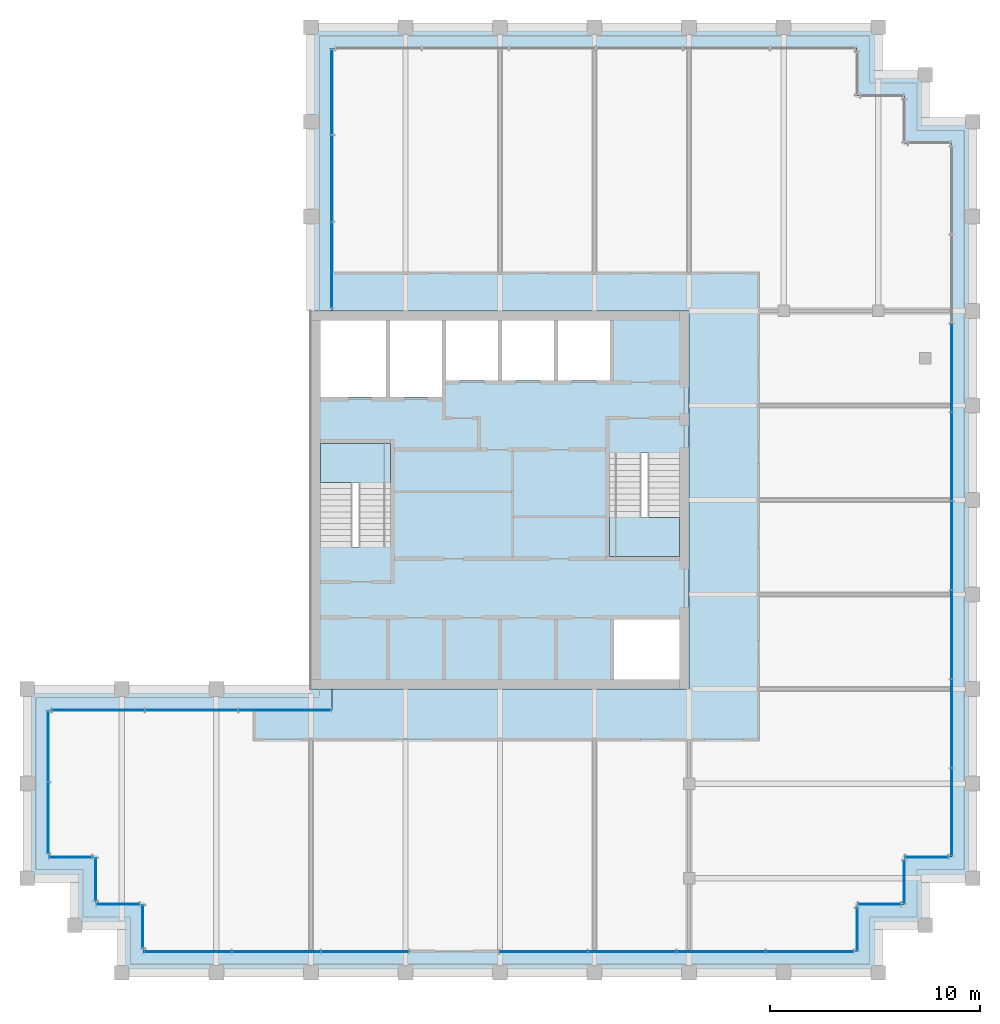
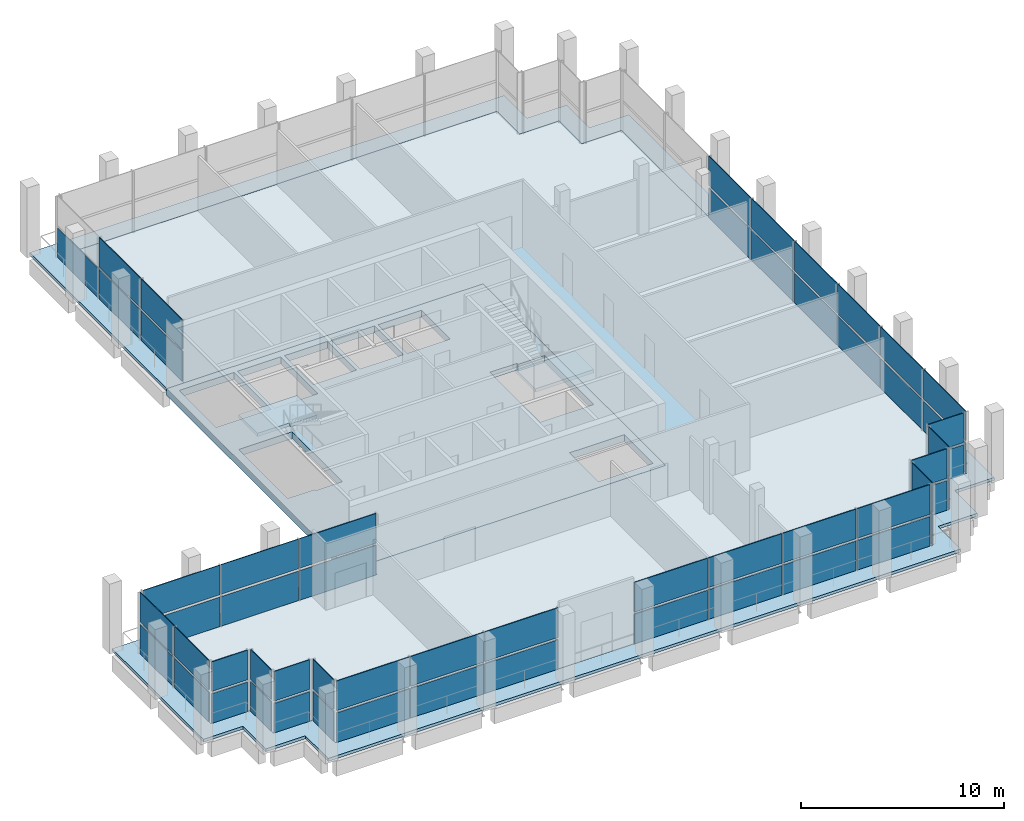
# One storey, part 13 of 17: 57 plates, 5 slabs, 16 elements without a shape of their own.
"""IFC4 building model written with IfcOpenShell, lengths in metres."""

from ifc_helpers import new_model, si_unit, direction, frame, origin, origin_2d, place, context, subcontext, project, spatial, polyline, rectangle, outline, extrude, material, layer, layer_set, type_object, element, aggregate, save


model = new_model("IFC4")

# Units and contexts
model_context = context("Model", 3, precision=1e-05, world=origin(), true_north=direction((0.0, 1.0)))
body_context = subcontext(model_context, "Body", "Model", "MODEL_VIEW")
ifc_project = project(units=[si_unit("LENGTHUNIT", "METRE"), si_unit("AREAUNIT", "SQUARE_METRE"), si_unit("VOLUMEUNIT", "CUBIC_METRE"), si_unit("PLANEANGLEUNIT", "RADIAN"), si_unit("MASSUNIT", "GRAM", prefix="KILO")], contexts=[model_context])

# Site, building, storey
site_placement = place(None, origin())
site = spatial("IfcSite", under=ifc_project, at=site_placement, CompositionType="ELEMENT")
building_placement = place(site_placement, origin())
building = spatial("IfcBuilding", under=site, at=building_placement, Name="Altepetl Exchange Towers", CompositionType="ELEMENT")
storey_placement = place(building_placement, frame((0.0, 0.0, 255.199951171875)))
storey = spatial("IfcBuildingStorey", under=building, at=storey_placement, Name="L65", CompositionType="ELEMENT", Elevation=255.199951171875)

# Slabs
ifc_material_1 = material(Name="Concrete C40/50", Category="concrete")
ifc_layer_1 = layer(ifc_material_1, 0.175048828125)
ifc_layer_set_1 = layer_set([ifc_layer_1], Name="Concrete C40/50")
slab_type_1 = type_object("IfcSlabType", Name="Composite floor slab 175", PredefinedType="FLOOR", material=ifc_layer_set_1)
slab_1_placement = place(storey_placement, frame((0.0, 0.0, -0.175048828125)))
element("IfcSlab", 1, at=slab_1_placement, inside=storey, type_object=slab_type_1, Name="slab:A:L65:strip0", PredefinedType="FLOOR", context=body_context, shape_type="SweptSolid", body=[
    extrude(outline(polyline([(41.5, 71.0), (41.5, 58.5), (58.5, 58.5), (58.5, 40.5), (41.5, 40.5), (41.5, 39.5), (28.0, 39.5), (28.0, 32.5), (30.25, 32.5), (30.25, 30.25), (32.5, 30.25), (32.5, 28.0), (66.5, 28.0), (66.5, 30.25), (68.75, 30.25), (68.75, 32.5), (71.0, 32.5), (71.0, 66.5), (68.75, 66.5), (68.75, 68.75), (66.5, 68.75), (66.5, 71.0), (41.5, 71.0)])), origin(), (0.0, 0.0, 1.0), 0.175048828125),
])
ifc_layer_2 = layer(ifc_material_1, 0.419921875)
ifc_layer_set_2 = layer_set([ifc_layer_2], Name="Concrete C40/50")
slab_type_2 = type_object("IfcSlabType", Name="Core floor slab 420", PredefinedType="FLOOR", material=ifc_layer_set_2)
slab_2_placement = place(storey_placement, frame((0.0, 0.0, -0.419921875)))
element("IfcSlab", 2, at=slab_2_placement, inside=storey, type_object=slab_type_2, Name="slab:A:L65:core0", PredefinedType="FLOOR", context=body_context, shape_type="SweptSolid", body=[
    extrude(outline(polyline([(40.5, 40.5), (58.5, 40.5), (58.5, 58.5), (40.5, 58.5), (40.5, 40.5)]), holes=[polyline([(54.93310546875, 43.800048828125), (58.050048828125, 43.800048828125), (58.050048828125, 40.949951171875), (54.93310546875, 40.949951171875), (54.93310546875, 43.800048828125)]), polyline([(55.0, 51.7490234375), (56.530029296875, 51.7490234375), (56.530029296875, 51.64990234375), (58.050048828125, 51.64990234375), (58.050048828125, 46.800048828125), (55.0, 46.800048828125), (55.0, 51.7490234375)]), polyline([(44.0, 47.2509765625), (42.469970703125, 47.2509765625), (42.469970703125, 47.35009765625), (40.949951171875, 47.35009765625), (40.949951171875, 52.199951171875), (44.0, 52.199951171875), (44.0, 47.2509765625)]), polyline([(40.949951171875, 58.050048828125), (44.06689453125, 58.050048828125), (44.06689453125, 54.39990234375), (40.949951171875, 54.39990234375), (40.949951171875, 58.050048828125)]), polyline([(44.26708984375, 58.050048828125), (46.73291015625, 58.050048828125), (46.73291015625, 54.39990234375), (44.26708984375, 54.39990234375), (44.26708984375, 58.050048828125)]), polyline([(46.93310546875, 58.050048828125), (49.39990234375, 58.050048828125), (49.39990234375, 55.199951171875), (46.93310546875, 55.199951171875), (46.93310546875, 58.050048828125)]), polyline([(49.60009765625, 58.050048828125), (52.06689453125, 58.050048828125), (52.06689453125, 55.199951171875), (49.60009765625, 55.199951171875), (49.60009765625, 58.050048828125)]), polyline([(52.26708984375, 58.050048828125), (54.73291015625, 58.050048828125), (54.73291015625, 55.199951171875), (52.26708984375, 55.199951171875), (52.26708984375, 58.050048828125)])]), origin(), (0.0, 0.0, 1.0), 0.419921875),
])

# Curtain wall, plates
ifc_material_2 = material(Name="Aluminium 6063-T6 glazing", Category="aluminium")
curtain_wall_type = type_object("IfcCurtainWallType", Name="Executive flush glazing system", PredefinedType="NOTDEFINED", material=ifc_material_2)
curtain_wall_1_placement = place(storey_placement, origin())
curtain_wall_1 = element("IfcCurtainWall", 3, at=curtain_wall_1_placement, inside=storey, type_object=curtain_wall_type, Name="CW4 run", PredefinedType="NOTDEFINED")
ifc_material_3 = material(Name="Glass 10-24-10 laminated", Category="glass")
ifc_layer_3 = layer(ifc_material_3, 0.0439453125)
ifc_layer_set_3 = layer_set([ifc_layer_3], Name="Glass 10-24-10 laminated")
plate_type = type_object("IfcPlateType", Name="Glass panel 44 laminated", PredefinedType="CURTAIN_PANEL", material=ifc_layer_set_3)
plate_1_placement = place(storey_placement, frame((39.255859375, 39.5, 0.0), z_axis=(0.0, 0.0, 1.0), x_axis=(-1.0, 0.0, 0.0)))
plate_1 = element("IfcPlate", 4, at=plate_1_placement, type_object=plate_type, Name="GP3 panel", PredefinedType="CURTAIN_PANEL", context=body_context, shape_type="SweptSolid", body=[
    extrude(rectangle(XDim=4.368408203125, YDim=0.0439453125, at=origin_2d()), origin(), (0.0, 0.0, 1.0), 1.780029296875),
])
plate_2_placement = place(storey_placement, frame((39.255859375, 39.5, 1.919921875), z_axis=(0.0, 0.0, 1.0), x_axis=(-1.0, 0.0, 0.0)))
plate_2 = element("IfcPlate", 5, at=plate_2_placement, type_object=plate_type, Name="GP3 panel", PredefinedType="CURTAIN_PANEL", context=body_context, shape_type="SweptSolid", body=[
    extrude(rectangle(XDim=4.368408203125, YDim=0.0439453125, at=origin_2d()), origin(), (0.0, 0.0, 1.0), 1.780029296875),
])
plate_3_placement = place(storey_placement, frame((34.8125, 39.5, 0.0), z_axis=(0.0, 0.0, 1.0), x_axis=(-1.0, 0.0, 0.0)))
plate_3 = element("IfcPlate", 6, at=plate_3_placement, type_object=plate_type, Name="GP3 panel", PredefinedType="CURTAIN_PANEL", context=body_context, shape_type="SweptSolid", body=[
    extrude(rectangle(XDim=4.3984375, YDim=0.0439453125, at=origin_2d()), origin(), (0.0, 0.0, 1.0), 1.780029296875),
])
plate_4_placement = place(storey_placement, frame((34.8125, 39.5, 1.919921875), z_axis=(0.0, 0.0, 1.0), x_axis=(-1.0, 0.0, 0.0)))
plate_4 = element("IfcPlate", 7, at=plate_4_placement, type_object=plate_type, Name="GP3 panel", PredefinedType="CURTAIN_PANEL", context=body_context, shape_type="SweptSolid", body=[
    extrude(rectangle(XDim=4.3984375, YDim=0.0439453125, at=origin_2d()), origin(), (0.0, 0.0, 1.0), 1.780029296875),
])
plate_5_placement = place(storey_placement, frame((30.369140625, 39.5, 0.0), z_axis=(0.0, 0.0, 1.0), x_axis=(-1.0, 0.0, 0.0)))
plate_5 = element("IfcPlate", 8, at=plate_5_placement, type_object=plate_type, Name="GP3 panel", PredefinedType="CURTAIN_PANEL", context=body_context, shape_type="SweptSolid", body=[
    extrude(rectangle(XDim=4.368408203125, YDim=0.0439453125, at=origin_2d()), origin(), (0.0, 0.0, 1.0), 1.780029296875),
])
plate_6_placement = place(storey_placement, frame((30.369140625, 39.5, 1.919921875), z_axis=(0.0, 0.0, 1.0), x_axis=(-1.0, 0.0, 0.0)))
plate_6 = element("IfcPlate", 9, at=plate_6_placement, type_object=plate_type, Name="GP3 panel", PredefinedType="CURTAIN_PANEL", context=body_context, shape_type="SweptSolid", body=[
    extrude(rectangle(XDim=4.368408203125, YDim=0.0439453125, at=origin_2d()), origin(), (0.0, 0.0, 1.0), 1.780029296875),
])
aggregate(curtain_wall_1, [plate_1, plate_2, plate_3, plate_4, plate_5, plate_6])

curtain_wall_2_placement = place(storey_placement, origin())
curtain_wall_2 = element("IfcCurtainWall", 10, at=curtain_wall_2_placement, inside=storey, type_object=curtain_wall_type, Name="CW4 run", PredefinedType="NOTDEFINED")
plate_7_placement = place(storey_placement, frame((28.0, 37.766357421875, 0.0), z_axis=(0.0, 0.0, 1.0), x_axis=(0.0, -1.0, 0.0)))
plate_7 = element("IfcPlate", 11, at=plate_7_placement, type_object=plate_type, Name="GP3 panel", PredefinedType="CURTAIN_PANEL", context=body_context, shape_type="SweptSolid", body=[
    extrude(rectangle(XDim=3.347412109375, YDim=0.0439453125, at=origin_2d()), origin(), (0.0, 0.0, 1.0), 1.780029296875),
])
plate_8_placement = place(storey_placement, frame((28.0, 37.766357421875, 1.919921875), z_axis=(0.0, 0.0, 1.0), x_axis=(0.0, -1.0, 0.0)))
plate_8 = element("IfcPlate", 12, at=plate_8_placement, type_object=plate_type, Name="GP3 panel", PredefinedType="CURTAIN_PANEL", context=body_context, shape_type="SweptSolid", body=[
    extrude(rectangle(XDim=3.347412109375, YDim=0.0439453125, at=origin_2d()), origin(), (0.0, 0.0, 1.0), 1.780029296875),
])
plate_9_placement = place(storey_placement, frame((28.0, 34.358642578125, 0.0), z_axis=(0.0, 0.0, 1.0), x_axis=(0.0, -1.0, 0.0)))
plate_9 = element("IfcPlate", 13, at=plate_9_placement, type_object=plate_type, Name="GP3 panel", PredefinedType="CURTAIN_PANEL", context=body_context, shape_type="SweptSolid", body=[
    extrude(rectangle(XDim=3.347412109375, YDim=0.0439453125, at=origin_2d()), origin(), (0.0, 0.0, 1.0), 1.780029296875),
])
plate_10_placement = place(storey_placement, frame((28.0, 34.358642578125, 1.919921875), z_axis=(0.0, 0.0, 1.0), x_axis=(0.0, -1.0, 0.0)))
plate_10 = element("IfcPlate", 14, at=plate_10_placement, type_object=plate_type, Name="GP3 panel", PredefinedType="CURTAIN_PANEL", context=body_context, shape_type="SweptSolid", body=[
    extrude(rectangle(XDim=3.347412109375, YDim=0.0439453125, at=origin_2d()), origin(), (0.0, 0.0, 1.0), 1.780029296875),
])
aggregate(curtain_wall_2, [plate_7, plate_8, plate_9, plate_10])

curtain_wall_3_placement = place(storey_placement, origin())
curtain_wall_3 = element("IfcCurtainWall", 15, at=curtain_wall_3_placement, inside=storey, type_object=curtain_wall_type, Name="CW4 run", PredefinedType="NOTDEFINED")
plate_11_placement = place(storey_placement, frame((29.0625, 32.5, 0.0)))
plate_11 = element("IfcPlate", 16, at=plate_11_placement, type_object=plate_type, Name="GP3 panel", PredefinedType="CURTAIN_PANEL", context=body_context, shape_type="SweptSolid", body=[
    extrude(rectangle(XDim=2.0048828125, YDim=0.0439453125, at=origin_2d()), origin(), (0.0, 0.0, 1.0), 1.780029296875),
])
plate_12_placement = place(storey_placement, frame((29.0625, 32.5, 1.919921875)))
plate_12 = element("IfcPlate", 17, at=plate_12_placement, type_object=plate_type, Name="GP3 panel", PredefinedType="CURTAIN_PANEL", context=body_context, shape_type="SweptSolid", body=[
    extrude(rectangle(XDim=2.0048828125, YDim=0.0439453125, at=origin_2d()), origin(), (0.0, 0.0, 1.0), 1.780029296875),
])
aggregate(curtain_wall_3, [plate_11, plate_12])

curtain_wall_4_placement = place(storey_placement, origin())
curtain_wall_4 = element("IfcCurtainWall", 18, at=curtain_wall_4_placement, inside=storey, type_object=curtain_wall_type, Name="CW4 run", PredefinedType="NOTDEFINED")
plate_13_placement = place(storey_placement, frame((30.25, 31.4375, 0.0), z_axis=(0.0, 0.0, 1.0), x_axis=(0.0, -1.0, 0.0)))
plate_13 = element("IfcPlate", 19, at=plate_13_placement, type_object=plate_type, Name="GP3 panel", PredefinedType="CURTAIN_PANEL", context=body_context, shape_type="SweptSolid", body=[
    extrude(rectangle(XDim=2.0048828125, YDim=0.0439453125, at=origin_2d()), origin(), (0.0, 0.0, 1.0), 1.780029296875),
])
plate_14_placement = place(storey_placement, frame((30.25, 31.4375, 1.919921875), z_axis=(0.0, 0.0, 1.0), x_axis=(0.0, -1.0, 0.0)))
plate_14 = element("IfcPlate", 20, at=plate_14_placement, type_object=plate_type, Name="GP3 panel", PredefinedType="CURTAIN_PANEL", context=body_context, shape_type="SweptSolid", body=[
    extrude(rectangle(XDim=2.0048828125, YDim=0.0439453125, at=origin_2d()), origin(), (0.0, 0.0, 1.0), 1.780029296875),
])
aggregate(curtain_wall_4, [plate_13, plate_14])

curtain_wall_5_placement = place(storey_placement, origin())
curtain_wall_5 = element("IfcCurtainWall", 21, at=curtain_wall_5_placement, inside=storey, type_object=curtain_wall_type, Name="CW4 run", PredefinedType="NOTDEFINED")
plate_15_placement = place(storey_placement, frame((31.3125, 30.25, 0.0)))
plate_15 = element("IfcPlate", 22, at=plate_15_placement, type_object=plate_type, Name="GP3 panel", PredefinedType="CURTAIN_PANEL", context=body_context, shape_type="SweptSolid", body=[
    extrude(rectangle(XDim=2.0048828125, YDim=0.0439453125, at=origin_2d()), origin(), (0.0, 0.0, 1.0), 1.780029296875),
])
plate_16_placement = place(storey_placement, frame((31.3125, 30.25, 1.919921875)))
plate_16 = element("IfcPlate", 23, at=plate_16_placement, type_object=plate_type, Name="GP3 panel", PredefinedType="CURTAIN_PANEL", context=body_context, shape_type="SweptSolid", body=[
    extrude(rectangle(XDim=2.0048828125, YDim=0.0439453125, at=origin_2d()), origin(), (0.0, 0.0, 1.0), 1.780029296875),
])
aggregate(curtain_wall_5, [plate_15, plate_16])

curtain_wall_6_placement = place(storey_placement, origin())
curtain_wall_6 = element("IfcCurtainWall", 24, at=curtain_wall_6_placement, inside=storey, type_object=curtain_wall_type, Name="CW4 run", PredefinedType="NOTDEFINED")
plate_17_placement = place(storey_placement, frame((32.5, 29.1875, 0.0), z_axis=(0.0, 0.0, 1.0), x_axis=(0.0, -1.0, 0.0)))
plate_17 = element("IfcPlate", 25, at=plate_17_placement, type_object=plate_type, Name="GP3 panel", PredefinedType="CURTAIN_PANEL", context=body_context, shape_type="SweptSolid", body=[
    extrude(rectangle(XDim=2.0048828125, YDim=0.0439453125, at=origin_2d()), origin(), (0.0, 0.0, 1.0), 1.780029296875),
])
plate_18_placement = place(storey_placement, frame((32.5, 29.1875, 1.919921875), z_axis=(0.0, 0.0, 1.0), x_axis=(0.0, -1.0, 0.0)))
plate_18 = element("IfcPlate", 26, at=plate_18_placement, type_object=plate_type, Name="GP3 panel", PredefinedType="CURTAIN_PANEL", context=body_context, shape_type="SweptSolid", body=[
    extrude(rectangle(XDim=2.0048828125, YDim=0.0439453125, at=origin_2d()), origin(), (0.0, 0.0, 1.0), 1.780029296875),
])
aggregate(curtain_wall_6, [plate_17, plate_18])

curtain_wall_7_placement = place(storey_placement, origin())
curtain_wall_7 = element("IfcCurtainWall", 27, at=curtain_wall_7_placement, inside=storey, type_object=curtain_wall_type, Name="CW4 run", PredefinedType="NOTDEFINED")
plate_19_placement = place(storey_placement, frame((34.632080078125, 28.0, 0.0)))
plate_19 = element("IfcPlate", 28, at=plate_19_placement, type_object=plate_type, Name="GP3 panel", PredefinedType="CURTAIN_PANEL", context=body_context, shape_type="SweptSolid", body=[
    extrude(rectangle(XDim=4.144287109375, YDim=0.0439453125, at=origin_2d()), origin(), (0.0, 0.0, 1.0), 1.780029296875),
])
plate_20_placement = place(storey_placement, frame((34.632080078125, 28.0, 1.919921875)))
plate_20 = element("IfcPlate", 29, at=plate_20_placement, type_object=plate_type, Name="GP3 panel", PredefinedType="CURTAIN_PANEL", context=body_context, shape_type="SweptSolid", body=[
    extrude(rectangle(XDim=4.144287109375, YDim=0.0439453125, at=origin_2d()), origin(), (0.0, 0.0, 1.0), 1.780029296875),
])
plate_21_placement = place(storey_placement, frame((38.8515625, 28.0, 0.0)))
plate_21 = element("IfcPlate", 30, at=plate_21_placement, type_object=plate_type, Name="GP3 panel", PredefinedType="CURTAIN_PANEL", context=body_context, shape_type="SweptSolid", body=[
    extrude(rectangle(XDim=4.17431640625, YDim=0.0439453125, at=origin_2d()), origin(), (0.0, 0.0, 1.0), 1.780029296875),
])
plate_22_placement = place(storey_placement, frame((38.8515625, 28.0, 1.919921875)))
plate_22 = element("IfcPlate", 31, at=plate_22_placement, type_object=plate_type, Name="GP3 panel", PredefinedType="CURTAIN_PANEL", context=body_context, shape_type="SweptSolid", body=[
    extrude(rectangle(XDim=4.17431640625, YDim=0.0439453125, at=origin_2d()), origin(), (0.0, 0.0, 1.0), 1.780029296875),
])
plate_23_placement = place(storey_placement, frame((43.071044921875, 28.0, 0.0)))
plate_23 = element("IfcPlate", 32, at=plate_23_placement, type_object=plate_type, Name="GP3 panel", PredefinedType="CURTAIN_PANEL", context=body_context, shape_type="SweptSolid", body=[
    extrude(rectangle(XDim=4.144287109375, YDim=0.0439453125, at=origin_2d()), origin(), (0.0, 0.0, 1.0), 1.780029296875),
])
plate_24_placement = place(storey_placement, frame((43.071044921875, 28.0, 1.919921875)))
plate_24 = element("IfcPlate", 33, at=plate_24_placement, type_object=plate_type, Name="GP3 panel", PredefinedType="CURTAIN_PANEL", context=body_context, shape_type="SweptSolid", body=[
    extrude(rectangle(XDim=4.144287109375, YDim=0.0439453125, at=origin_2d()), origin(), (0.0, 0.0, 1.0), 1.780029296875),
])
aggregate(curtain_wall_7, [plate_19, plate_20, plate_21, plate_22, plate_23, plate_24])

curtain_wall_8_placement = place(storey_placement, origin())
curtain_wall_8 = element("IfcCurtainWall", 34, at=curtain_wall_8_placement, inside=storey, type_object=curtain_wall_type, Name="CW4 run", PredefinedType="NOTDEFINED")
plate_25_placement = place(storey_placement, frame((51.569580078125, 28.0, 0.0)))
plate_25 = element("IfcPlate", 35, at=plate_25_placement, type_object=plate_type, Name="GP3 panel", PredefinedType="CURTAIN_PANEL", context=body_context, shape_type="SweptSolid", body=[
    extrude(rectangle(XDim=4.144287109375, YDim=0.0439453125, at=origin_2d()), origin(), (0.0, 0.0, 1.0), 1.780029296875),
])
plate_26_placement = place(storey_placement, frame((51.569580078125, 28.0, 1.919921875)))
plate_26 = element("IfcPlate", 36, at=plate_26_placement, type_object=plate_type, Name="GP3 panel", PredefinedType="CURTAIN_PANEL", context=body_context, shape_type="SweptSolid", body=[
    extrude(rectangle(XDim=4.144287109375, YDim=0.0439453125, at=origin_2d()), origin(), (0.0, 0.0, 1.0), 1.780029296875),
])
plate_27_placement = place(storey_placement, frame((55.7890625, 28.0, 0.0)))
plate_27 = element("IfcPlate", 37, at=plate_27_placement, type_object=plate_type, Name="GP3 panel", PredefinedType="CURTAIN_PANEL", context=body_context, shape_type="SweptSolid", body=[
    extrude(rectangle(XDim=4.17431640625, YDim=0.0439453125, at=origin_2d()), origin(), (0.0, 0.0, 1.0), 1.780029296875),
])
plate_28_placement = place(storey_placement, frame((55.7890625, 28.0, 1.919921875)))
plate_28 = element("IfcPlate", 38, at=plate_28_placement, type_object=plate_type, Name="GP3 panel", PredefinedType="CURTAIN_PANEL", context=body_context, shape_type="SweptSolid", body=[
    extrude(rectangle(XDim=4.17431640625, YDim=0.0439453125, at=origin_2d()), origin(), (0.0, 0.0, 1.0), 1.780029296875),
])
plate_29_placement = place(storey_placement, frame((60.0234375, 28.0, 0.0)))
plate_29 = element("IfcPlate", 39, at=plate_29_placement, type_object=plate_type, Name="GP3 panel", PredefinedType="CURTAIN_PANEL", context=body_context, shape_type="SweptSolid", body=[
    extrude(rectangle(XDim=4.17431640625, YDim=0.0439453125, at=origin_2d()), origin(), (0.0, 0.0, 1.0), 1.780029296875),
])
plate_30_placement = place(storey_placement, frame((60.0234375, 28.0, 1.919921875)))
plate_30 = element("IfcPlate", 40, at=plate_30_placement, type_object=plate_type, Name="GP3 panel", PredefinedType="CURTAIN_PANEL", context=body_context, shape_type="SweptSolid", body=[
    extrude(rectangle(XDim=4.17431640625, YDim=0.0439453125, at=origin_2d()), origin(), (0.0, 0.0, 1.0), 1.780029296875),
])
plate_31_placement = place(storey_placement, frame((64.242919921875, 28.0, 0.0)))
plate_31 = element("IfcPlate", 41, at=plate_31_placement, type_object=plate_type, Name="GP3 panel", PredefinedType="CURTAIN_PANEL", context=body_context, shape_type="SweptSolid", body=[
    extrude(rectangle(XDim=4.144287109375, YDim=0.0439453125, at=origin_2d()), origin(), (0.0, 0.0, 1.0), 1.780029296875),
])
plate_32_placement = place(storey_placement, frame((64.242919921875, 28.0, 1.919921875)))
plate_32 = element("IfcPlate", 42, at=plate_32_placement, type_object=plate_type, Name="GP3 panel", PredefinedType="CURTAIN_PANEL", context=body_context, shape_type="SweptSolid", body=[
    extrude(rectangle(XDim=4.144287109375, YDim=0.0439453125, at=origin_2d()), origin(), (0.0, 0.0, 1.0), 1.780029296875),
])
aggregate(curtain_wall_8, [plate_25, plate_26, plate_27, plate_28, plate_29, plate_30, plate_31, plate_32])

curtain_wall_9_placement = place(storey_placement, origin())
curtain_wall_9 = element("IfcCurtainWall", 43, at=curtain_wall_9_placement, inside=storey, type_object=curtain_wall_type, Name="CW4 run", PredefinedType="NOTDEFINED")
plate_33_placement = place(storey_placement, frame((66.5, 29.0625, 0.0), z_axis=(0.0, 0.0, 1.0), x_axis=(0.0, 1.0, 0.0)))
plate_33 = element("IfcPlate", 44, at=plate_33_placement, type_object=plate_type, Name="GP3 panel", PredefinedType="CURTAIN_PANEL", context=body_context, shape_type="SweptSolid", body=[
    extrude(rectangle(XDim=2.0048828125, YDim=0.0439453125, at=origin_2d()), origin(), (0.0, 0.0, 1.0), 1.780029296875),
])
plate_34_placement = place(storey_placement, frame((66.5, 29.0625, 1.919921875), z_axis=(0.0, 0.0, 1.0), x_axis=(0.0, 1.0, 0.0)))
plate_34 = element("IfcPlate", 45, at=plate_34_placement, type_object=plate_type, Name="GP3 panel", PredefinedType="CURTAIN_PANEL", context=body_context, shape_type="SweptSolid", body=[
    extrude(rectangle(XDim=2.0048828125, YDim=0.0439453125, at=origin_2d()), origin(), (0.0, 0.0, 1.0), 1.780029296875),
])
aggregate(curtain_wall_9, [plate_33, plate_34])

curtain_wall_10_placement = place(storey_placement, origin())
curtain_wall_10 = element("IfcCurtainWall", 46, at=curtain_wall_10_placement, inside=storey, type_object=curtain_wall_type, Name="CW4 run", PredefinedType="NOTDEFINED")
plate_35_placement = place(storey_placement, frame((67.5625, 30.25, 0.0)))
plate_35 = element("IfcPlate", 47, at=plate_35_placement, type_object=plate_type, Name="GP3 panel", PredefinedType="CURTAIN_PANEL", context=body_context, shape_type="SweptSolid", body=[
    extrude(rectangle(XDim=2.0048828125, YDim=0.0439453125, at=origin_2d()), origin(), (0.0, 0.0, 1.0), 1.780029296875),
])
plate_36_placement = place(storey_placement, frame((67.5625, 30.25, 1.919921875)))
plate_36 = element("IfcPlate", 48, at=plate_36_placement, type_object=plate_type, Name="GP3 panel", PredefinedType="CURTAIN_PANEL", context=body_context, shape_type="SweptSolid", body=[
    extrude(rectangle(XDim=2.0048828125, YDim=0.0439453125, at=origin_2d()), origin(), (0.0, 0.0, 1.0), 1.780029296875),
])
aggregate(curtain_wall_10, [plate_35, plate_36])

curtain_wall_11_placement = place(storey_placement, origin())
curtain_wall_11 = element("IfcCurtainWall", 49, at=curtain_wall_11_placement, inside=storey, type_object=curtain_wall_type, Name="CW4 run", PredefinedType="NOTDEFINED")
plate_37_placement = place(storey_placement, frame((68.75, 31.3125, 0.0), z_axis=(0.0, 0.0, 1.0), x_axis=(0.0, 1.0, 0.0)))
plate_37 = element("IfcPlate", 50, at=plate_37_placement, type_object=plate_type, Name="GP3 panel", PredefinedType="CURTAIN_PANEL", context=body_context, shape_type="SweptSolid", body=[
    extrude(rectangle(XDim=2.0048828125, YDim=0.0439453125, at=origin_2d()), origin(), (0.0, 0.0, 1.0), 1.780029296875),
])
plate_38_placement = place(storey_placement, frame((68.75, 31.3125, 1.919921875), z_axis=(0.0, 0.0, 1.0), x_axis=(0.0, 1.0, 0.0)))
plate_38 = element("IfcPlate", 51, at=plate_38_placement, type_object=plate_type, Name="GP3 panel", PredefinedType="CURTAIN_PANEL", context=body_context, shape_type="SweptSolid", body=[
    extrude(rectangle(XDim=2.0048828125, YDim=0.0439453125, at=origin_2d()), origin(), (0.0, 0.0, 1.0), 1.780029296875),
])
aggregate(curtain_wall_11, [plate_37, plate_38])

curtain_wall_12_placement = place(storey_placement, origin())
curtain_wall_12 = element("IfcCurtainWall", 52, at=curtain_wall_12_placement, inside=storey, type_object=curtain_wall_type, Name="CW4 run", PredefinedType="NOTDEFINED")
plate_39_placement = place(storey_placement, frame((69.8125, 32.5, 0.0)))
plate_39 = element("IfcPlate", 53, at=plate_39_placement, type_object=plate_type, Name="GP3 panel", PredefinedType="CURTAIN_PANEL", context=body_context, shape_type="SweptSolid", body=[
    extrude(rectangle(XDim=2.0048828125, YDim=0.0439453125, at=origin_2d()), origin(), (0.0, 0.0, 1.0), 1.780029296875),
])
plate_40_placement = place(storey_placement, frame((69.8125, 32.5, 1.919921875)))
plate_40 = element("IfcPlate", 54, at=plate_40_placement, type_object=plate_type, Name="GP3 panel", PredefinedType="CURTAIN_PANEL", context=body_context, shape_type="SweptSolid", body=[
    extrude(rectangle(XDim=2.0048828125, YDim=0.0439453125, at=origin_2d()), origin(), (0.0, 0.0, 1.0), 1.780029296875),
])
aggregate(curtain_wall_12, [plate_39, plate_40])

curtain_wall_13_placement = place(storey_placement, origin())
curtain_wall_13 = element("IfcCurtainWall", 55, at=curtain_wall_13_placement, inside=storey, type_object=curtain_wall_type, Name="CW4 run", PredefinedType="NOTDEFINED")
plate_41_placement = place(storey_placement, frame((71.0, 34.632080078125, 0.0), z_axis=(0.0, 0.0, 1.0), x_axis=(0.0, 1.0, 0.0)))
plate_41 = element("IfcPlate", 56, at=plate_41_placement, type_object=plate_type, Name="GP3 panel", PredefinedType="CURTAIN_PANEL", context=body_context, shape_type="SweptSolid", body=[
    extrude(rectangle(XDim=4.144287109375, YDim=0.0439453125, at=origin_2d()), origin(), (0.0, 0.0, 1.0), 1.780029296875),
])
plate_42_placement = place(storey_placement, frame((71.0, 34.632080078125, 1.919921875), z_axis=(0.0, 0.0, 1.0), x_axis=(0.0, 1.0, 0.0)))
plate_42 = element("IfcPlate", 57, at=plate_42_placement, type_object=plate_type, Name="GP3 panel", PredefinedType="CURTAIN_PANEL", context=body_context, shape_type="SweptSolid", body=[
    extrude(rectangle(XDim=4.144287109375, YDim=0.0439453125, at=origin_2d()), origin(), (0.0, 0.0, 1.0), 1.780029296875),
])
plate_43_placement = place(storey_placement, frame((71.0, 38.8515625, 0.0), z_axis=(0.0, 0.0, 1.0), x_axis=(0.0, 1.0, 0.0)))
plate_43 = element("IfcPlate", 58, at=plate_43_placement, type_object=plate_type, Name="GP3 panel", PredefinedType="CURTAIN_PANEL", context=body_context, shape_type="SweptSolid", body=[
    extrude(rectangle(XDim=4.17431640625, YDim=0.0439453125, at=origin_2d()), origin(), (0.0, 0.0, 1.0), 1.780029296875),
])
plate_44_placement = place(storey_placement, frame((71.0, 38.8515625, 1.919921875), z_axis=(0.0, 0.0, 1.0), x_axis=(0.0, 1.0, 0.0)))
plate_44 = element("IfcPlate", 59, at=plate_44_placement, type_object=plate_type, Name="GP3 panel", PredefinedType="CURTAIN_PANEL", context=body_context, shape_type="SweptSolid", body=[
    extrude(rectangle(XDim=4.17431640625, YDim=0.0439453125, at=origin_2d()), origin(), (0.0, 0.0, 1.0), 1.780029296875),
])
plate_45_placement = place(storey_placement, frame((71.0, 43.0859375, 0.0), z_axis=(0.0, 0.0, 1.0), x_axis=(0.0, 1.0, 0.0)))
plate_45 = element("IfcPlate", 60, at=plate_45_placement, type_object=plate_type, Name="GP3 panel", PredefinedType="CURTAIN_PANEL", context=body_context, shape_type="SweptSolid", body=[
    extrude(rectangle(XDim=4.17431640625, YDim=0.0439453125, at=origin_2d()), origin(), (0.0, 0.0, 1.0), 1.780029296875),
])
plate_46_placement = place(storey_placement, frame((71.0, 43.0859375, 1.919921875), z_axis=(0.0, 0.0, 1.0), x_axis=(0.0, 1.0, 0.0)))
plate_46 = element("IfcPlate", 61, at=plate_46_placement, type_object=plate_type, Name="GP3 panel", PredefinedType="CURTAIN_PANEL", context=body_context, shape_type="SweptSolid", body=[
    extrude(rectangle(XDim=4.17431640625, YDim=0.0439453125, at=origin_2d()), origin(), (0.0, 0.0, 1.0), 1.780029296875),
])
plate_47_placement = place(storey_placement, frame((71.0, 47.3203125, 0.0), z_axis=(0.0, 0.0, 1.0), x_axis=(0.0, 1.0, 0.0)))
plate_47 = element("IfcPlate", 62, at=plate_47_placement, type_object=plate_type, Name="GP3 panel", PredefinedType="CURTAIN_PANEL", context=body_context, shape_type="SweptSolid", body=[
    extrude(rectangle(XDim=4.17431640625, YDim=0.0439453125, at=origin_2d()), origin(), (0.0, 0.0, 1.0), 1.780029296875),
])
plate_48_placement = place(storey_placement, frame((71.0, 47.3203125, 1.919921875), z_axis=(0.0, 0.0, 1.0), x_axis=(0.0, 1.0, 0.0)))
plate_48 = element("IfcPlate", 63, at=plate_48_placement, type_object=plate_type, Name="GP3 panel", PredefinedType="CURTAIN_PANEL", context=body_context, shape_type="SweptSolid", body=[
    extrude(rectangle(XDim=4.17431640625, YDim=0.0439453125, at=origin_2d()), origin(), (0.0, 0.0, 1.0), 1.780029296875),
])
plate_49_placement = place(storey_placement, frame((71.0, 51.5546875, 0.0), z_axis=(0.0, 0.0, 1.0), x_axis=(0.0, 1.0, 0.0)))
plate_49 = element("IfcPlate", 64, at=plate_49_placement, type_object=plate_type, Name="GP3 panel", PredefinedType="CURTAIN_PANEL", context=body_context, shape_type="SweptSolid", body=[
    extrude(rectangle(XDim=4.17431640625, YDim=0.0439453125, at=origin_2d()), origin(), (0.0, 0.0, 1.0), 1.780029296875),
])
plate_50_placement = place(storey_placement, frame((71.0, 51.5546875, 1.919921875), z_axis=(0.0, 0.0, 1.0), x_axis=(0.0, 1.0, 0.0)))
plate_50 = element("IfcPlate", 65, at=plate_50_placement, type_object=plate_type, Name="GP3 panel", PredefinedType="CURTAIN_PANEL", context=body_context, shape_type="SweptSolid", body=[
    extrude(rectangle(XDim=4.17431640625, YDim=0.0439453125, at=origin_2d()), origin(), (0.0, 0.0, 1.0), 1.780029296875),
])
plate_51_placement = place(storey_placement, frame((71.0, 55.7890625, 0.0), z_axis=(0.0, 0.0, 1.0), x_axis=(0.0, 1.0, 0.0)))
plate_51 = element("IfcPlate", 66, at=plate_51_placement, type_object=plate_type, Name="GP3 panel", PredefinedType="CURTAIN_PANEL", context=body_context, shape_type="SweptSolid", body=[
    extrude(rectangle(XDim=4.17431640625, YDim=0.0439453125, at=origin_2d()), origin(), (0.0, 0.0, 1.0), 1.780029296875),
])
plate_52_placement = place(storey_placement, frame((71.0, 55.7890625, 1.919921875), z_axis=(0.0, 0.0, 1.0), x_axis=(0.0, 1.0, 0.0)))
plate_52 = element("IfcPlate", 67, at=plate_52_placement, type_object=plate_type, Name="GP3 panel", PredefinedType="CURTAIN_PANEL", context=body_context, shape_type="SweptSolid", body=[
    extrude(rectangle(XDim=4.17431640625, YDim=0.0439453125, at=origin_2d()), origin(), (0.0, 0.0, 1.0), 1.780029296875),
])
aggregate(curtain_wall_13, [plate_41, plate_42, plate_43, plate_44, plate_45, plate_46, plate_47, plate_48, plate_49, plate_50, plate_51, plate_52])

curtain_wall_14_placement = place(storey_placement, origin())
curtain_wall_14 = element("IfcCurtainWall", 68, at=curtain_wall_14_placement, inside=storey, type_object=curtain_wall_type, Name="CW4 run", PredefinedType="NOTDEFINED")
plate_53_placement = place(storey_placement, frame((41.5, 68.922607421875, 0.0), z_axis=(0.0, 0.0, 1.0), x_axis=(0.0, -1.0, 0.0)))
plate_53 = element("IfcPlate", 69, at=plate_53_placement, type_object=plate_type, Name="GP3 panel", PredefinedType="CURTAIN_PANEL", context=body_context, shape_type="SweptSolid", body=[
    extrude(rectangle(XDim=4.034912109375, YDim=0.0439453125, at=origin_2d()), origin(), (0.0, 0.0, 1.0), 1.780029296875),
])
plate_54_placement = place(storey_placement, frame((41.5, 64.8125, 0.0), z_axis=(0.0, 0.0, 1.0), x_axis=(0.0, -1.0, 0.0)))
plate_54 = element("IfcPlate", 70, at=plate_54_placement, type_object=plate_type, Name="GP3 panel", PredefinedType="CURTAIN_PANEL", context=body_context, shape_type="SweptSolid", body=[
    extrude(rectangle(XDim=4.06494140625, YDim=0.0439453125, at=origin_2d()), origin(), (0.0, 0.0, 1.0), 1.780029296875),
])
plate_55_placement = place(storey_placement, frame((41.5, 64.8125, 1.919921875), z_axis=(0.0, 0.0, 1.0), x_axis=(0.0, -1.0, 0.0)))
plate_55 = element("IfcPlate", 71, at=plate_55_placement, type_object=plate_type, Name="GP3 panel", PredefinedType="CURTAIN_PANEL", context=body_context, shape_type="SweptSolid", body=[
    extrude(rectangle(XDim=4.06494140625, YDim=0.0439453125, at=origin_2d()), origin(), (0.0, 0.0, 1.0), 1.780029296875),
])
plate_56_placement = place(storey_placement, frame((41.5, 60.702392578125, 0.0), z_axis=(0.0, 0.0, 1.0), x_axis=(0.0, -1.0, 0.0)))
plate_56 = element("IfcPlate", 72, at=plate_56_placement, type_object=plate_type, Name="GP3 panel", PredefinedType="CURTAIN_PANEL", context=body_context, shape_type="SweptSolid", body=[
    extrude(rectangle(XDim=4.034912109375, YDim=0.0439453125, at=origin_2d()), origin(), (0.0, 0.0, 1.0), 1.780029296875),
])
plate_57_placement = place(storey_placement, frame((41.5, 60.702392578125, 1.919921875), z_axis=(0.0, 0.0, 1.0), x_axis=(0.0, -1.0, 0.0)))
plate_57 = element("IfcPlate", 73, at=plate_57_placement, type_object=plate_type, Name="GP3 panel", PredefinedType="CURTAIN_PANEL", context=body_context, shape_type="SweptSolid", body=[
    extrude(rectangle(XDim=4.034912109375, YDim=0.0439453125, at=origin_2d()), origin(), (0.0, 0.0, 1.0), 1.780029296875),
])
aggregate(curtain_wall_14, [plate_53, plate_54, plate_55, plate_56, plate_57])

# Slab
ifc_layer_4 = layer(ifc_material_1, 0.175048828125)
ifc_layer_set_4 = layer_set([ifc_layer_4], Name="Concrete C40/50")
slab_type_3 = type_object("IfcSlabType", Name="Loggia slab 175", PredefinedType="FLOOR", material=ifc_layer_set_4)
slab_3_placement = place(storey_placement, frame((0.0, 0.0, -0.175048828125)))
element("IfcSlab", 74, at=slab_3_placement, inside=storey, type_object=slab_type_3, Name="slab:A:L65:loggia0", PredefinedType="FLOOR", context=body_context, shape_type="SweptSolid", body=[
    extrude(outline(polyline([(40.5, 72.0), (40.5, 58.5), (41.5, 58.5), (41.5, 71.0), (66.5, 71.0), (66.5, 68.75), (68.75, 68.75), (68.75, 66.5), (71.0, 66.5), (71.0, 32.5), (68.75, 32.5), (68.75, 30.25), (66.5, 30.25), (66.5, 28.0), (32.5, 28.0), (32.5, 30.25), (30.25, 30.25), (30.25, 32.5), (28.0, 32.5), (28.0, 39.5), (41.5, 39.5), (41.5, 40.5), (40.5, 40.5), (27.0, 40.5), (27.0, 31.5), (29.25, 31.5), (29.25, 29.25), (31.5, 29.25), (31.5, 27.0), (58.5, 27.0), (67.5, 27.0), (67.5, 29.25), (69.75, 29.25), (69.75, 31.5), (72.0, 31.5), (72.0, 58.5), (72.0, 67.5), (69.75, 67.5), (69.75, 69.75), (67.5, 69.75), (67.5, 72.0), (40.5, 72.0)])), origin(), (0.0, 0.0, 1.0), 0.175048828125),
])

# Stair, slab
stair_type = type_object("IfcStairType", Name="Exit stair 1520 flights dogleg", PredefinedType="HALF_TURN_STAIR", material=ifc_material_1)
stair_1_placement = place(storey_placement, origin())
stair_1 = element("IfcStair", 75, at=stair_1_placement, inside=storey, type_object=stair_type, Name="Exit stair 1", PredefinedType="HALF_TURN_STAIR")
ifc_layer_5 = layer(ifc_material_1, 0.199951171875)
ifc_layer_set_5 = layer_set([ifc_layer_5], Name="Concrete C40/50")
slab_type_4 = type_object("IfcSlabType", Name="Stair landing 200 reinforced concrete", PredefinedType="LANDING", material=ifc_layer_set_5)
slab_4_placement = place(storey_placement, frame((0.0, 0.0, 1.900146484375)))
slab_4 = element("IfcSlab", 76, at=slab_4_placement, type_object=slab_type_4, Name="ST-A1h landing 1", PredefinedType="LANDING", context=body_context, shape_type="SweptSolid", body=[
    extrude(outline(polyline([(44.280029296875, 50.22998046875), (42.760009765625, 50.22998046875), (42.760009765625, 50.330078125), (42.469970703125, 50.330078125), (42.469970703125, 50.329345703125), (40.949951171875, 50.329345703125), (40.949951171875, 50.330078125), (40.949951171875, 52.199951171875), (44.280029296875, 52.199951171875), (44.280029296875, 50.330078125), (44.280029296875, 50.22998046875)])), origin(), (0.0, 0.0, 1.0), 0.199951171875),
])
aggregate(stair_1, [slab_4])

stair_2_placement = place(storey_placement, origin())
stair_2 = element("IfcStair", 77, at=stair_2_placement, inside=storey, type_object=stair_type, Name="Exit stair 2", PredefinedType="HALF_TURN_STAIR")
slab_5_placement = place(storey_placement, frame((0.0, 0.0, 1.900146484375)))
slab_5 = element("IfcSlab", 78, at=slab_5_placement, type_object=slab_type_4, Name="ST-A2h landing 1", PredefinedType="LANDING", context=body_context, shape_type="SweptSolid", body=[
    extrude(outline(polyline([(58.050048828125, 46.800048828125), (54.719970703125, 46.800048828125), (54.719970703125, 48.669921875), (54.719970703125, 48.77001953125), (56.239990234375, 48.77001953125), (56.239990234375, 48.669921875), (56.530029296875, 48.669921875), (56.530029296875, 48.670654296875), (58.050048828125, 48.670654296875), (58.050048828125, 48.669921875), (58.050048828125, 46.800048828125)])), origin(), (0.0, 0.0, 1.0), 0.199951171875),
])
aggregate(stair_2, [slab_5])

save(model, "model.ifc")
